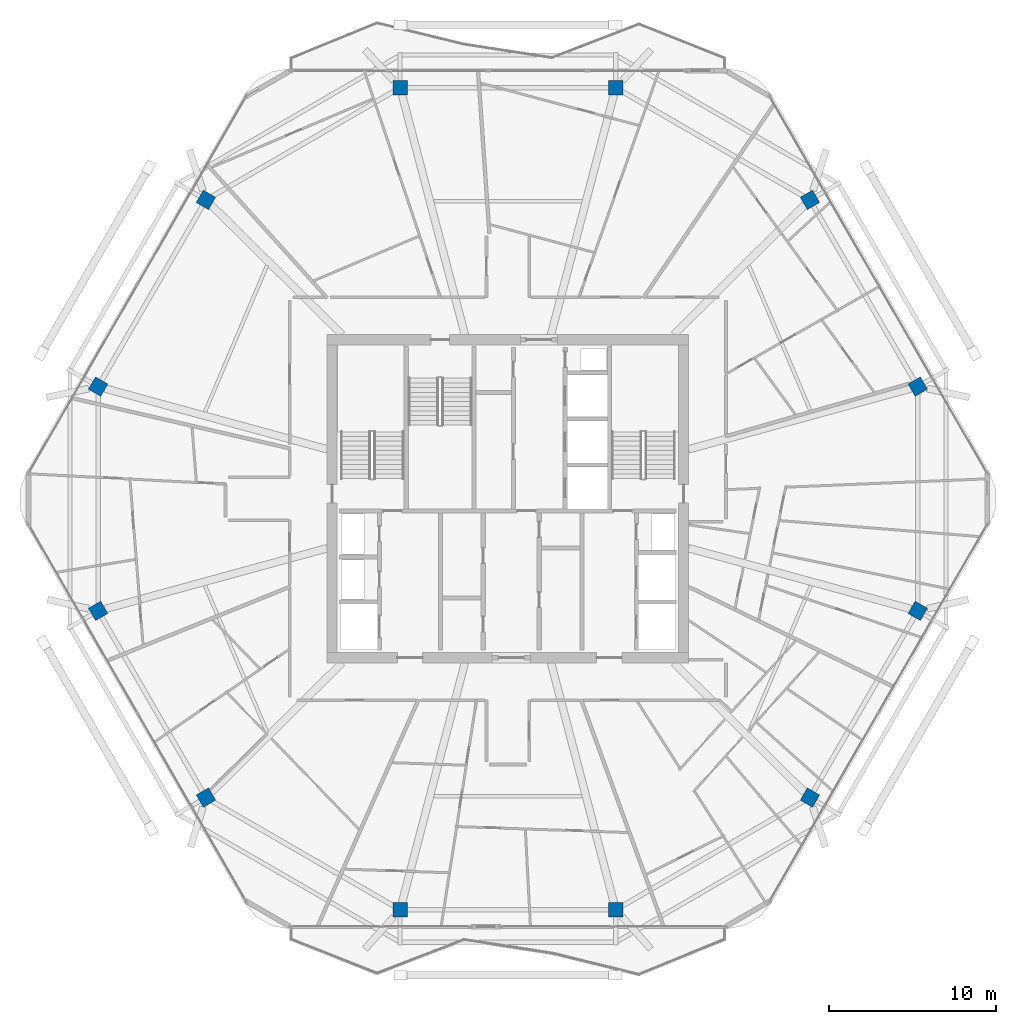
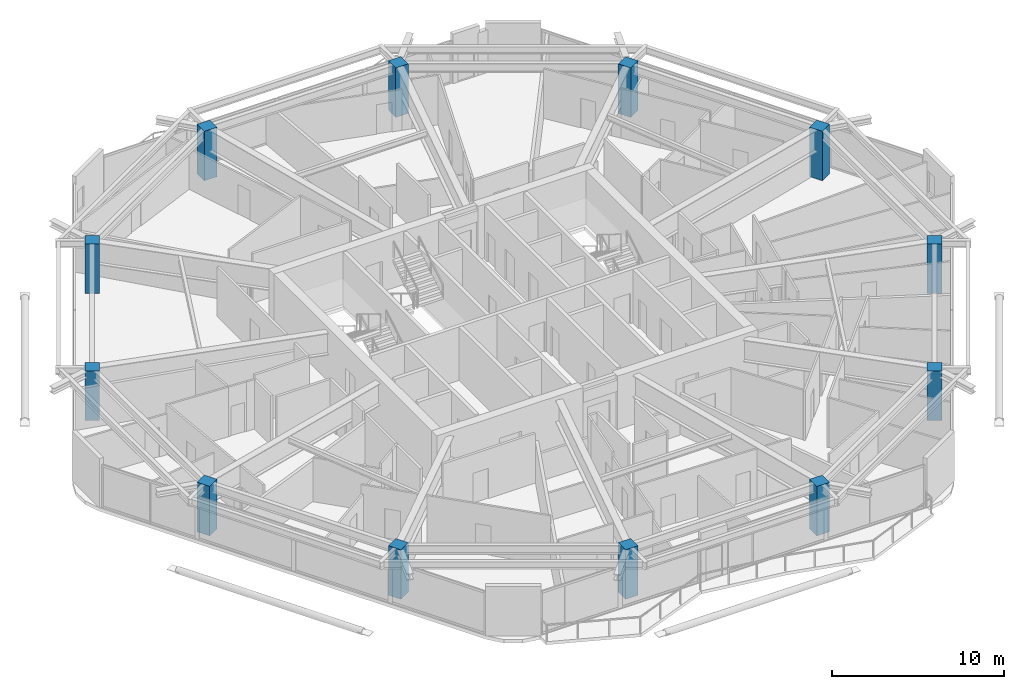
# One storey, part 1 of 26: 12 columns.
"""IFC4 building model written with IfcOpenShell, lengths in metres."""

from ifc_helpers import new_model, si_unit, direction, frame, origin, origin_2d, place, context, subcontext, project, spatial, rectangle, extrude, material, material_profile, profile_set, type_object, element, save


model = new_model("IFC4")

# Units and contexts
model_context = context("Model", 3, precision=1e-05, world=origin(), true_north=direction((0.0, 1.0)))
body_context = subcontext(model_context, "Body", "Model", "MODEL_VIEW")
ifc_project = project(units=[si_unit("LENGTHUNIT", "METRE"), si_unit("AREAUNIT", "SQUARE_METRE"), si_unit("VOLUMEUNIT", "CUBIC_METRE"), si_unit("PLANEANGLEUNIT", "RADIAN"), si_unit("MASSUNIT", "GRAM", prefix="KILO")], contexts=[model_context])

# Site, building, storey
site_placement = place(None, origin())
site = spatial("IfcSite", under=ifc_project, at=site_placement, CompositionType="ELEMENT")
building_placement = place(site_placement, origin())
building = spatial("IfcBuilding", under=site, at=building_placement, Name="Zuhravey Tower", CompositionType="ELEMENT")
storey_placement = place(building_placement, frame((0.0, 0.0, 299.60009765625)))
storey = spatial("IfcBuildingStorey", under=building, at=storey_placement, Name="L76", CompositionType="ELEMENT", Elevation=299.60009765625)

# Columns
ifc_material = material(Name="Concrete C50/60", Category="concrete")
ifc_material_profile = material_profile(ifc_material, rectangle(XDim=0.85009765625, YDim=0.85009765625, at=origin_2d()), Name="RC-850x850")
ifc_profile_set = profile_set([ifc_material_profile], Name="Concrete C50/60")
column_type = type_object("IfcColumnType", Name="Zone 3 Upper Column 850x850", PredefinedType="COLUMN", material=ifc_profile_set)
for number, where, z_axis, x_axis, name in (
    (1, (60.484619140625, 38.698974609375, 0.0), (0.0, 0.0, 1.0), (-0.5, 0.866025403784, 0.0), "L76 Perimeter Column PC01"),
    (2, (54.043701171875, 49.854736328125, 0.0), (0.0, 0.0, 1.0), (-0.5, 0.866025403784, 0.0), "L76 Perimeter Column PC02"),
    (3, (42.44091796875, 56.5537109375, 0.0), (0.0, 0.0, 1.0), (-1.0, 0.0, 0.0), "L76 Perimeter Column PC03"),
    (4, (29.55908203125, 56.5537109375, 0.0), (0.0, 0.0, 1.0), (-1.0, 0.0, 0.0), "L76 Perimeter Column PC04"),
    (5, (17.956298828125, 49.854736328125, 0.0), (0.0, 0.0, 1.0), (-0.5, -0.866025403784, 0.0), "L76 Perimeter Column PC05"),
    (6, (11.515380859375, 38.698974609375, 0.0), (0.0, 0.0, 1.0), (-0.5, -0.866025403784, 0.0), "L76 Perimeter Column PC06"),
    (7, (11.515380859375, 25.301025390625, 0.0), (0.0, 0.0, 1.0), (0.5, -0.866025403784, 0.0), "L76 Perimeter Column PC07"),
    (8, (17.956298828125, 14.145263671875, 0.0), (0.0, 0.0, 1.0), (0.5, -0.866025403784, 0.0), "L76 Perimeter Column PC08"),
    (9, (29.55908203125, 7.4462890625, 0.0), (0.0, 0.0, 1.0), (1.0, 0.0, 0.0), "L76 Perimeter Column PC09"),
    (10, (42.44091796875, 7.4462890625, 0.0), (0.0, 0.0, 1.0), (1.0, 0.0, 0.0), "L76 Perimeter Column PC10"),
    (11, (54.043701171875, 14.145263671875, 0.0), (0.0, 0.0, 1.0), (0.5, 0.866025403784, 0.0), "L76 Perimeter Column PC11"),
    (12, (60.484619140625, 25.301025390625, 0.0), (0.0, 0.0, 1.0), (0.5, 0.866025403784, 0.0), "L76 Perimeter Column PC12"),
):
    element("IfcColumn", number, at=place(storey_placement, frame(where, z_axis=z_axis, x_axis=x_axis)), inside=storey, type_object=column_type, Name=name, PredefinedType="COLUMN", context=body_context, shape_type="SweptSolid", body=[
        extrude(rectangle(XDim=0.85009765625, YDim=0.85009765625, at=origin_2d()), origin(), (0.0, 0.0, 1.0), 3.52001953125),
    ])

save(model, "model.ifc")
